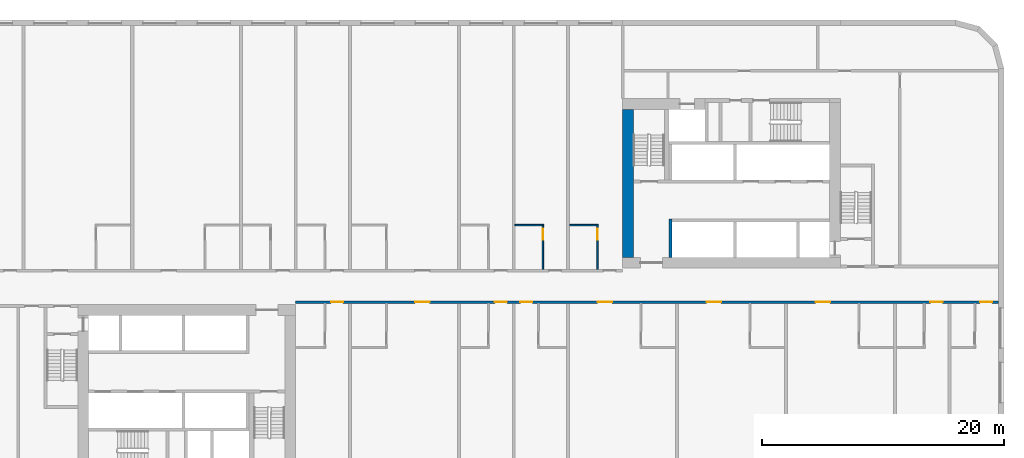
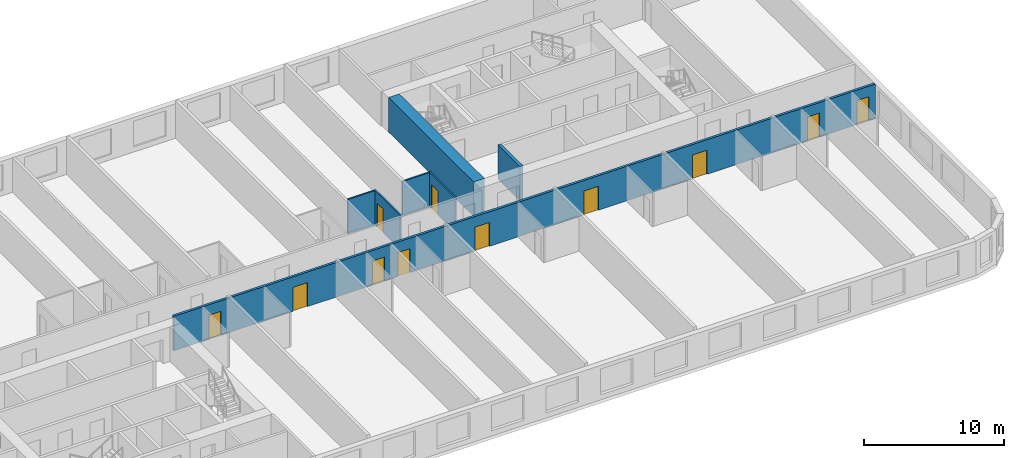
# One storey, part 5 of 12: 11 doors, 7 walls, 11 openings.
"""IFC4 building model written with IfcOpenShell, lengths in metres."""

from ifc_helpers import new_model, si_unit, direction, frame, frame_2d, origin, place, context, subcontext, project, spatial, rectangle, extrude, material, layer, layer_set, type_object, element, fill, save


model = new_model("IFC4")

# Units and contexts
model_context = context("Model", 3, precision=1e-05, world=origin(), true_north=direction((0.0, 1.0)))
body_context = subcontext(model_context, "Body", "Model", "MODEL_VIEW")
ifc_project = project(units=[si_unit("LENGTHUNIT", "METRE"), si_unit("AREAUNIT", "SQUARE_METRE"), si_unit("VOLUMEUNIT", "CUBIC_METRE"), si_unit("PLANEANGLEUNIT", "RADIAN"), si_unit("MASSUNIT", "GRAM", prefix="KILO")], contexts=[model_context])

# Site, building, storey
site_placement = place(None, origin())
site = spatial("IfcSite", under=ifc_project, at=site_placement, CompositionType="ELEMENT")
building_placement = place(site_placement, origin())
building = spatial("IfcBuilding", under=site, at=building_placement, Name="Kajstack Hotel Tower", CompositionType="ELEMENT")
storey_placement = place(building_placement, frame((0.0, 0.0, 66.60009765625)))
storey = spatial("IfcBuildingStorey", under=building, at=storey_placement, Name="L11", CompositionType="ELEMENT", Elevation=66.60009765625)

# Wall
ifc_material_1 = material(Name="Concrete C60/75", Category="concrete")
ifc_layer_1 = layer(ifc_material_1, 0.89990234375)
ifc_layer_set_1 = layer_set([ifc_layer_1], Name="Core wall 900")
wall_type_1 = type_object("IfcWallType", Name="Core wall 900", PredefinedType="SHEAR", material=ifc_layer_set_1)
wall_1_placement = place(storey_placement, frame((13.949951171875, 2.39990234375, 0.0), z_axis=(0.0, 0.0, 1.0), x_axis=(0.0, 1.0, 0.0)))
element("IfcWall", 1, at=wall_1_placement, inside=storey, type_object=wall_type_1, Name="Core wall E RE", PredefinedType="SHEAR", context=body_context, shape_type="SweptSolid", body=[
    extrude(rectangle(XDim=12.2001953125, YDim=0.89990234375, at=frame_2d((6.10009765625, 0.0))), origin(), (0.0, 0.0, 1.0), 3.02001953125),
])

# Wall, openings, doors
ifc_material_2 = material(Name="Gypsum board on steel studs, mineral wool", Category="steel")
ifc_layer_2 = layer(ifc_material_2, 0.199951171875)
ifc_layer_set_2 = layer_set([ifc_layer_2], Name="Corridor wall 200")
wall_type_2 = type_object("IfcWallType", Name="Corridor wall 200", PredefinedType="PARTITIONING", material=ifc_layer_set_2)
wall_2_placement = place(storey_placement, frame((-13.5, -1.300048828125, 0.0), z_axis=(0.0, 0.0, 1.0), x_axis=(1.0, 0.0, 0.0)))
wall_2 = element("IfcWall", 2, at=wall_2_placement, inside=storey, type_object=wall_type_2, Name="G-wall-L11-026", PredefinedType="PARTITIONING", context=body_context, shape_type="SweptSolid", body=[
    extrude(rectangle(XDim=58.050048828125, YDim=0.199951171875, at=frame_2d((29.02490234375, 0.0))), origin(), (0.0, 0.0, 1.0), 3.02001953125),
])
opening_1_placement = place(wall_2_placement, frame((2.925048828125, 0.0, 0.0)))
opening_1 = element("IfcOpeningElement", 3, at=opening_1_placement, cuts=wall_2, Name="Opening 11021", PredefinedType="OPENING", context=body_context, shape_type="SweptSolid", body=[
    extrude(rectangle(XDim=1.0, YDim=2.10009765625, at=frame_2d((0.5, 1.050048828125))), frame((0.0, 0.10986328125, 0.0), z_axis=(0.0, -1.0, 0.0), x_axis=(1.0, 0.0, 0.0)), (0.0, 0.0, 1.0), 0.219970703125),
])
opening_2_placement = place(wall_2_placement, frame((9.863037109375, 0.0, 0.0)))
opening_2 = element("IfcOpeningElement", 4, at=opening_2_placement, cuts=wall_2, Name="Opening 11023", PredefinedType="OPENING", context=body_context, shape_type="SweptSolid", body=[
    extrude(rectangle(XDim=1.199951171875, YDim=2.10009765625, at=frame_2d((0.60009765625, 1.050048828125))), frame((0.0, 0.10986328125, 0.0), z_axis=(0.0, -1.0, 0.0), x_axis=(1.0, 0.0, 0.0)), (0.0, 0.0, 1.0), 0.219970703125),
])
opening_3_placement = place(wall_2_placement, frame((16.449951171875, 0.0, 0.0)))
opening_3 = element("IfcOpeningElement", 5, at=opening_3_placement, cuts=wall_2, Name="Opening 11025", PredefinedType="OPENING", context=body_context, shape_type="SweptSolid", body=[
    extrude(rectangle(XDim=1.0, YDim=2.10009765625, at=frame_2d((0.5, 1.050048828125))), frame((0.0, 0.10986328125, 0.0), z_axis=(0.0, -1.0, 0.0), x_axis=(1.0, 0.0, 0.0)), (0.0, 0.0, 1.0), 0.219970703125),
])
opening_4_placement = place(wall_2_placement, frame((18.550048828125, 0.0, 0.0)))
opening_4 = element("IfcOpeningElement", 6, at=opening_4_placement, cuts=wall_2, Name="Opening 11027", PredefinedType="OPENING", context=body_context, shape_type="SweptSolid", body=[
    extrude(rectangle(XDim=1.0, YDim=2.10009765625, at=frame_2d((0.5, 1.050048828125))), frame((0.0, 0.10986328125, 0.0), z_axis=(0.0, -1.0, 0.0), x_axis=(1.0, 0.0, 0.0)), (0.0, 0.0, 1.0), 0.219970703125),
])
opening_5_placement = place(wall_2_placement, frame((24.93798828125, 0.0, 0.0)))
opening_5 = element("IfcOpeningElement", 7, at=opening_5_placement, cuts=wall_2, Name="Opening 11029", PredefinedType="OPENING", context=body_context, shape_type="SweptSolid", body=[
    extrude(rectangle(XDim=1.199951171875, YDim=2.10009765625, at=frame_2d((0.60009765625, 1.050048828125))), frame((0.0, 0.10986328125, 0.0), z_axis=(0.0, -1.0, 0.0), x_axis=(1.0, 0.0, 0.0)), (0.0, 0.0, 1.0), 0.219970703125),
])
opening_6_placement = place(wall_2_placement, frame((33.93798828125, 0.0, 0.0)))
opening_6 = element("IfcOpeningElement", 8, at=opening_6_placement, cuts=wall_2, Name="Opening 11031", PredefinedType="OPENING", context=body_context, shape_type="SweptSolid", body=[
    extrude(rectangle(XDim=1.199951171875, YDim=2.10009765625, at=frame_2d((0.60009765625, 1.050048828125))), frame((0.0, 0.10986328125, 0.0), z_axis=(0.0, -1.0, 0.0), x_axis=(1.0, 0.0, 0.0)), (0.0, 0.0, 1.0), 0.219970703125),
])
opening_7_placement = place(wall_2_placement, frame((42.93798828125, 0.0, 0.0)))
opening_7 = element("IfcOpeningElement", 9, at=opening_7_placement, cuts=wall_2, Name="Opening 11033", PredefinedType="OPENING", context=body_context, shape_type="SweptSolid", body=[
    extrude(rectangle(XDim=1.199951171875, YDim=2.10009765625, at=frame_2d((0.60009765625, 1.050048828125))), frame((0.0, 0.10986328125, 0.0), z_axis=(0.0, -1.0, 0.0), x_axis=(1.0, 0.0, 0.0)), (0.0, 0.0, 1.0), 0.219970703125),
])
opening_8_placement = place(wall_2_placement, frame((52.425048828125, 0.0, 0.0)))
opening_8 = element("IfcOpeningElement", 10, at=opening_8_placement, cuts=wall_2, Name="Opening 11035", PredefinedType="OPENING", context=body_context, shape_type="SweptSolid", body=[
    extrude(rectangle(XDim=1.0, YDim=2.10009765625, at=frame_2d((0.5, 1.050048828125))), frame((0.0, 0.10986328125, 0.0), z_axis=(0.0, -1.0, 0.0), x_axis=(1.0, 0.0, 0.0)), (0.0, 0.0, 1.0), 0.219970703125),
])
opening_9_placement = place(wall_2_placement, frame((56.52490234375, 0.0, 0.0)))
opening_9 = element("IfcOpeningElement", 11, at=opening_9_placement, cuts=wall_2, Name="Opening 11037", PredefinedType="OPENING", context=body_context, shape_type="SweptSolid", body=[
    extrude(rectangle(XDim=1.0, YDim=2.10009765625, at=frame_2d((0.5, 1.050048828125))), frame((0.0, 0.10986328125, 0.0), z_axis=(0.0, -1.0, 0.0), x_axis=(1.0, 0.0, 0.0)), (0.0, 0.0, 1.0), 0.219970703125),
])
ifc_material_3 = material(Name="Oak veneer on timber core, fire-rated leaf", Category="wood")
door_type_1 = type_object("IfcDoorType", Name="Flat entrance door 1000", OperationType="SINGLE_SWING_LEFT", PredefinedType="DOOR", material=ifc_material_3)
door_1_placement = place(opening_1_placement, origin())
door_1 = element("IfcDoor", 12, at=door_1_placement, inside=storey, type_object=door_type_1, Name="G-door-L11-21", OperationType="SINGLE_SWING_RIGHT", OverallHeight=2.10009765625, OverallWidth=1.0, PredefinedType="DOOR", context=body_context, shape_type="SweptSolid", body=[
    extrude(rectangle(XDim=1.0, YDim=2.10009765625, at=frame_2d((0.5, 1.050048828125))), frame((0.0, 0.02490234375, 0.0), z_axis=(0.0, -1.0, 0.0), x_axis=(1.0, 0.0, 0.0)), (0.0, 0.0, 1.0), 0.050048828125),
])
fill(opening_1, door_1)
door_2_placement = place(opening_3_placement, origin())
door_2 = element("IfcDoor", 13, at=door_2_placement, inside=storey, type_object=door_type_1, Name="G-door-L11-25", OperationType="SINGLE_SWING_LEFT", OverallHeight=2.10009765625, OverallWidth=1.0, PredefinedType="DOOR", context=body_context, shape_type="SweptSolid", body=[
    extrude(rectangle(XDim=1.0, YDim=2.10009765625, at=frame_2d((0.5, 1.050048828125))), frame((0.0, 0.02490234375, 0.0), z_axis=(0.0, -1.0, 0.0), x_axis=(1.0, 0.0, 0.0)), (0.0, 0.0, 1.0), 0.050048828125),
])
fill(opening_3, door_2)
door_3_placement = place(opening_4_placement, origin())
door_3 = element("IfcDoor", 14, at=door_3_placement, inside=storey, type_object=door_type_1, Name="G-door-L11-27", OperationType="SINGLE_SWING_LEFT", OverallHeight=2.10009765625, OverallWidth=1.0, PredefinedType="DOOR", context=body_context, shape_type="SweptSolid", body=[
    extrude(rectangle(XDim=1.0, YDim=2.10009765625, at=frame_2d((0.5, 1.050048828125))), frame((0.0, 0.02490234375, 0.0), z_axis=(0.0, -1.0, 0.0), x_axis=(1.0, 0.0, 0.0)), (0.0, 0.0, 1.0), 0.050048828125),
])
fill(opening_4, door_3)
door_4_placement = place(opening_8_placement, origin())
door_4 = element("IfcDoor", 15, at=door_4_placement, inside=storey, type_object=door_type_1, Name="G-door-L11-35", OperationType="SINGLE_SWING_RIGHT", OverallHeight=2.10009765625, OverallWidth=1.0, PredefinedType="DOOR", context=body_context, shape_type="SweptSolid", body=[
    extrude(rectangle(XDim=1.0, YDim=2.10009765625, at=frame_2d((0.5, 1.050048828125))), frame((0.0, 0.02490234375, 0.0), z_axis=(0.0, -1.0, 0.0), x_axis=(1.0, 0.0, 0.0)), (0.0, 0.0, 1.0), 0.050048828125),
])
fill(opening_8, door_4)
door_5_placement = place(opening_9_placement, origin())
door_5 = element("IfcDoor", 16, at=door_5_placement, inside=storey, type_object=door_type_1, Name="G-door-L11-37", OperationType="SINGLE_SWING_RIGHT", OverallHeight=2.10009765625, OverallWidth=1.0, PredefinedType="DOOR", context=body_context, shape_type="SweptSolid", body=[
    extrude(rectangle(XDim=1.0, YDim=2.10009765625, at=frame_2d((0.5, 1.050048828125))), frame((0.0, 0.02490234375, 0.0), z_axis=(0.0, -1.0, 0.0), x_axis=(1.0, 0.0, 0.0)), (0.0, 0.0, 1.0), 0.050048828125),
])
fill(opening_9, door_5)
door_type_2 = type_object("IfcDoorType", Name="Flat entrance door 1200", OperationType="SINGLE_SWING_LEFT", PredefinedType="DOOR", material=ifc_material_3)
door_6_placement = place(opening_2_placement, origin())
door_6 = element("IfcDoor", 17, at=door_6_placement, inside=storey, type_object=door_type_2, Name="G-door-L11-23", OperationType="SINGLE_SWING_LEFT", OverallHeight=2.10009765625, OverallWidth=1.199951171875, PredefinedType="DOOR", context=body_context, shape_type="SweptSolid", body=[
    extrude(rectangle(XDim=1.199951171875, YDim=2.10009765625, at=frame_2d((0.60009765625, 1.050048828125))), frame((0.0, 0.02490234375, 0.0), z_axis=(0.0, -1.0, 0.0), x_axis=(1.0, 0.0, 0.0)), (0.0, 0.0, 1.0), 0.050048828125),
])
fill(opening_2, door_6)
door_7_placement = place(opening_5_placement, origin())
door_7 = element("IfcDoor", 18, at=door_7_placement, inside=storey, type_object=door_type_2, Name="G-door-L11-29", OperationType="SINGLE_SWING_RIGHT", OverallHeight=2.10009765625, OverallWidth=1.199951171875, PredefinedType="DOOR", context=body_context, shape_type="SweptSolid", body=[
    extrude(rectangle(XDim=1.199951171875, YDim=2.10009765625, at=frame_2d((0.60009765625, 1.050048828125))), frame((0.0, 0.02490234375, 0.0), z_axis=(0.0, -1.0, 0.0), x_axis=(1.0, 0.0, 0.0)), (0.0, 0.0, 1.0), 0.050048828125),
])
fill(opening_5, door_7)
door_8_placement = place(opening_6_placement, origin())
door_8 = element("IfcDoor", 19, at=door_8_placement, inside=storey, type_object=door_type_2, Name="G-door-L11-31", OperationType="SINGLE_SWING_RIGHT", OverallHeight=2.10009765625, OverallWidth=1.199951171875, PredefinedType="DOOR", context=body_context, shape_type="SweptSolid", body=[
    extrude(rectangle(XDim=1.199951171875, YDim=2.10009765625, at=frame_2d((0.60009765625, 1.050048828125))), frame((0.0, 0.02490234375, 0.0), z_axis=(0.0, -1.0, 0.0), x_axis=(1.0, 0.0, 0.0)), (0.0, 0.0, 1.0), 0.050048828125),
])
fill(opening_6, door_8)
door_9_placement = place(opening_7_placement, origin())
door_9 = element("IfcDoor", 20, at=door_9_placement, inside=storey, type_object=door_type_2, Name="G-door-L11-33", OperationType="SINGLE_SWING_RIGHT", OverallHeight=2.10009765625, OverallWidth=1.199951171875, PredefinedType="DOOR", context=body_context, shape_type="SweptSolid", body=[
    extrude(rectangle(XDim=1.199951171875, YDim=2.10009765625, at=frame_2d((0.60009765625, 1.050048828125))), frame((0.0, 0.02490234375, 0.0), z_axis=(0.0, -1.0, 0.0), x_axis=(1.0, 0.0, 0.0)), (0.0, 0.0, 1.0), 0.050048828125),
])
fill(opening_7, door_9)

# Wall, opening, door
ifc_material_4 = material(Name="Gypsum board and tiled backer on steel studs", Category="steel")
ifc_layer_3 = layer(ifc_material_4, 0.125)
ifc_layer_set_3 = layer_set([ifc_layer_3], Name="En-suite wall 125")
wall_type_3 = type_object("IfcWallType", Name="En-suite wall 125", PredefinedType="PARTITIONING", material=ifc_layer_set_3)
wall_3_placement = place(storey_placement, frame((6.912109375, 1.39990234375, 0.0), z_axis=(0.0, 0.0, 1.0), x_axis=(0.0, 1.0, 0.0)))
wall_3 = element("IfcWall", 21, at=wall_3_placement, inside=storey, type_object=wall_type_3, Name="G-wall-L11-022", PredefinedType="PARTITIONING", context=body_context, shape_type="SweptSolid", body=[
    extrude(rectangle(XDim=3.72509765625, YDim=0.125, at=frame_2d((1.862548828125, 0.0))), origin(), (0.0, 0.0, 1.0), 3.02001953125),
])
opening_10_placement = place(wall_3_placement, frame((2.449951171875, 0.0, 0.0)))
opening_10 = element("IfcOpeningElement", 22, at=opening_10_placement, cuts=wall_3, Name="Opening 11018", PredefinedType="OPENING", context=body_context, shape_type="SweptSolid", body=[
    extrude(rectangle(XDim=0.89990234375, YDim=2.10009765625, at=frame_2d((0.449951171875, 1.050048828125))), frame((0.0, 0.072509765625, 0.0), z_axis=(0.0, -1.0, 0.0), x_axis=(1.0, 0.0, 0.0)), (0.0, 0.0, 1.0), 0.14501953125),
])
ifc_material_5 = material(Name="Painted timber door leaf", Category="wood")
door_type_3 = type_object("IfcDoorType", Name="Room door 900", OperationType="SINGLE_SWING_LEFT", PredefinedType="DOOR", material=ifc_material_5)
door_10_placement = place(opening_10_placement, origin())
door_10 = element("IfcDoor", 23, at=door_10_placement, inside=storey, type_object=door_type_3, Name="G-door-L11-18", OperationType="SINGLE_SWING_RIGHT", OverallHeight=2.10009765625, OverallWidth=0.89990234375, PredefinedType="DOOR", context=body_context, shape_type="SweptSolid", body=[
    extrude(rectangle(XDim=0.89990234375, YDim=2.10009765625, at=frame_2d((0.449951171875, 1.050048828125))), frame((0.0, 0.02490234375, 0.0), z_axis=(0.0, -1.0, 0.0), x_axis=(1.0, 0.0, 0.0)), (0.0, 0.0, 1.0), 0.050048828125),
])
fill(opening_10, door_10)

# Wall
wall_4_placement = place(storey_placement, frame((4.60009765625, 5.06201171875, 0.0), z_axis=(0.0, 0.0, 1.0), x_axis=(1.0, 0.0, 0.0)))
element("IfcWall", 24, at=wall_4_placement, inside=storey, type_object=wall_type_3, Name="G-wall-L11-023", PredefinedType="PARTITIONING", context=body_context, shape_type="SweptSolid", body=[
    extrude(rectangle(XDim=2.25, YDim=0.125, at=frame_2d((1.125, 0.0))), origin(), (0.0, 0.0, 1.0), 3.02001953125),
])

# Wall, opening, door
wall_5_placement = place(storey_placement, frame((11.43798828125, 1.39990234375, 0.0), z_axis=(0.0, 0.0, 1.0), x_axis=(0.0, 1.0, 0.0)))
wall_5 = element("IfcWall", 25, at=wall_5_placement, inside=storey, type_object=wall_type_3, Name="G-wall-L11-024", PredefinedType="PARTITIONING", context=body_context, shape_type="SweptSolid", body=[
    extrude(rectangle(XDim=3.72509765625, YDim=0.125, at=frame_2d((1.862548828125, 0.0))), origin(), (0.0, 0.0, 1.0), 3.02001953125),
])
opening_11_placement = place(wall_5_placement, frame((2.449951171875, 0.0, 0.0)))
opening_11 = element("IfcOpeningElement", 26, at=opening_11_placement, cuts=wall_5, Name="Opening 11020", PredefinedType="OPENING", context=body_context, shape_type="SweptSolid", body=[
    extrude(rectangle(XDim=0.89990234375, YDim=2.10009765625, at=frame_2d((0.449951171875, 1.050048828125))), frame((0.0, 0.072509765625, 0.0), z_axis=(0.0, -1.0, 0.0), x_axis=(1.0, 0.0, 0.0)), (0.0, 0.0, 1.0), 0.14501953125),
])
door_11_placement = place(opening_11_placement, origin())
door_11 = element("IfcDoor", 27, at=door_11_placement, inside=storey, type_object=door_type_3, Name="G-door-L11-20", OperationType="SINGLE_SWING_LEFT", OverallHeight=2.10009765625, OverallWidth=0.89990234375, PredefinedType="DOOR", context=body_context, shape_type="SweptSolid", body=[
    extrude(rectangle(XDim=0.89990234375, YDim=2.10009765625, at=frame_2d((0.449951171875, 1.050048828125))), frame((0.0, 0.02490234375, 0.0), z_axis=(0.0, -1.0, 0.0), x_axis=(1.0, 0.0, 0.0)), (0.0, 0.0, 1.0), 0.050048828125),
])
fill(opening_11, door_11)

# Walls
wall_6_placement = place(storey_placement, frame((9.125, 5.06201171875, 0.0), z_axis=(0.0, 0.0, 1.0), x_axis=(1.0, 0.0, 0.0)))
element("IfcWall", 28, at=wall_6_placement, inside=storey, type_object=wall_type_3, Name="G-wall-L11-025", PredefinedType="PARTITIONING", context=body_context, shape_type="SweptSolid", body=[
    extrude(rectangle(XDim=2.25, YDim=0.125, at=frame_2d((1.125, 0.0))), origin(), (0.0, 0.0, 1.0), 3.02001953125),
])
ifc_material_6 = material(Name="Concrete C50/60", Category="concrete")
ifc_layer_4 = layer(ifc_material_6, 0.25)
ifc_layer_set_4 = layer_set([ifc_layer_4], Name="Shaft wall 250")
wall_type_4 = type_object("IfcWallType", Name="Shaft wall 250", PredefinedType="SHEAR", material=ifc_layer_set_4)
wall_7_placement = place(storey_placement, frame((17.47509765625, 2.39990234375, 0.0), z_axis=(0.0, 0.0, 1.0), x_axis=(0.0, 1.0, 0.0)))
element("IfcWall", 29, at=wall_7_placement, inside=storey, type_object=wall_type_4, Name="Core wall E AE", PredefinedType="SHEAR", context=body_context, shape_type="SweptSolid", body=[
    extrude(rectangle(XDim=3.150146484375, YDim=0.25, at=frame_2d((1.5751953125, 0.0))), origin(), (0.0, 0.0, 1.0), 3.02001953125),
])

save(model, "model.ifc")
